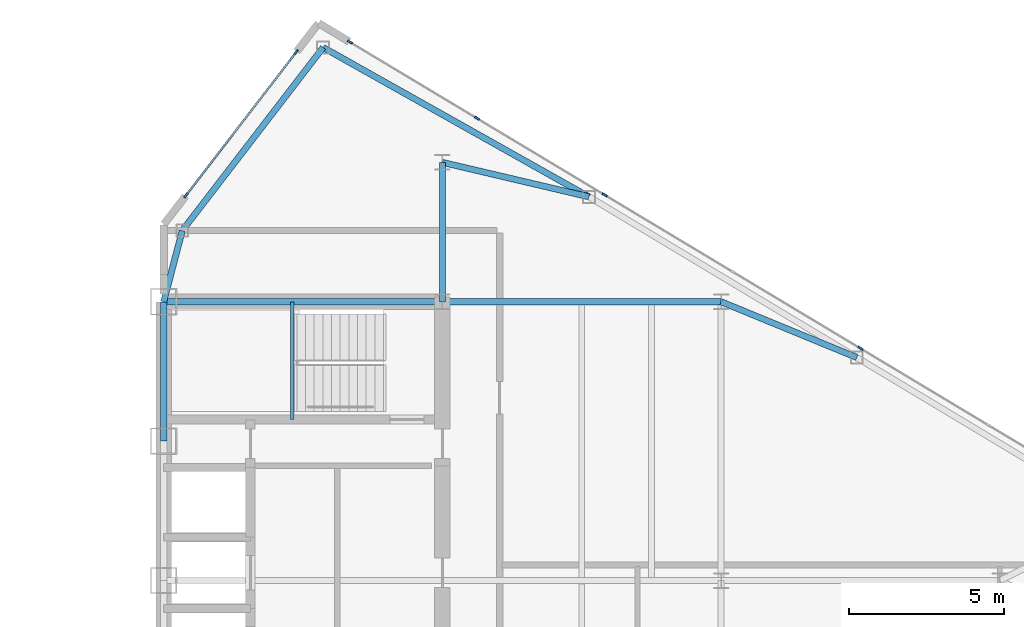
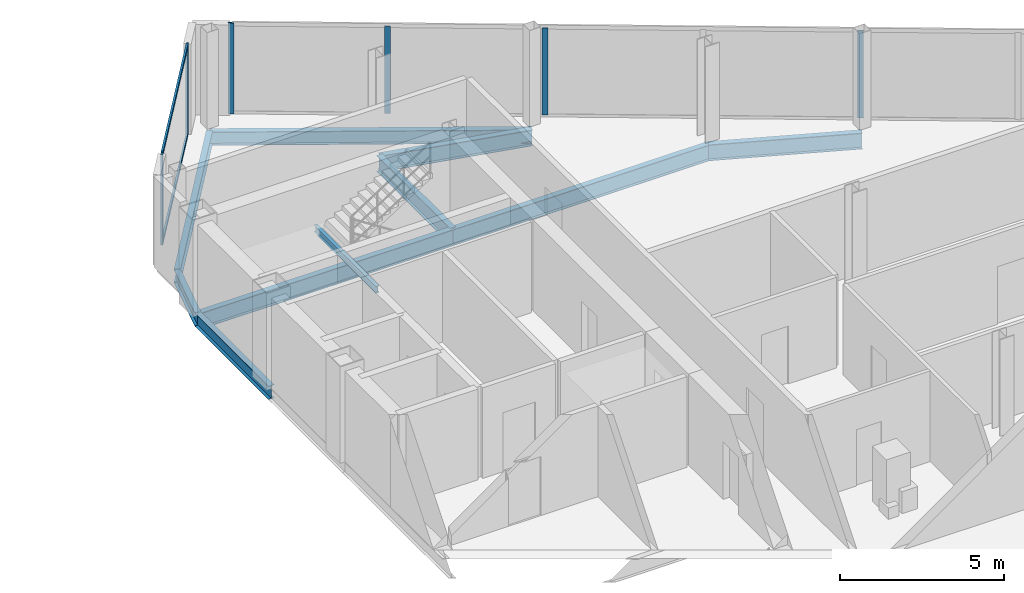
# One storey, part 15 of 25: 10 beams, 8 members, 2 elements without a shape of their own.
"""IFC4 building model written with IfcOpenShell, lengths in metres."""

from ifc_helpers import new_model, si_unit, direction, frame, origin, origin_2d, place, context, subcontext, project, spatial, rectangle, i_section, extrude, source, transform, mapped, material, layer, layer_set, material_profile, profile_set, type_object, type_shapes, element, aggregate, save


model = new_model("IFC4")

# Units and contexts
model_context = context("Model", 3, precision=1e-05, world=origin(), true_north=direction((0.0, 1.0)))
body_context = subcontext(model_context, "Body", "Model", "MODEL_VIEW")
ifc_project = project(units=[si_unit("LENGTHUNIT", "METRE"), si_unit("AREAUNIT", "SQUARE_METRE"), si_unit("VOLUMEUNIT", "CUBIC_METRE"), si_unit("PLANEANGLEUNIT", "RADIAN"), si_unit("MASSUNIT", "GRAM", prefix="KILO")], contexts=[model_context])

# Site, building, storey
site_placement = place(None, origin())
site = spatial("IfcSite", under=ifc_project, at=site_placement, CompositionType="ELEMENT")
building_placement = place(site_placement, origin())
building = spatial("IfcBuilding", under=site, at=building_placement, Name="Seokmaru Belvedere", CompositionType="ELEMENT")
storey_placement = place(building_placement, frame((0.0, 0.0, 213.89990234375)))
storey = spatial("IfcBuildingStorey", under=building, at=storey_placement, Name="L57", CompositionType="ELEMENT", Elevation=213.89990234375)

# Beams
ifc_material_1 = material(Name="Steel SM355 (355 MPa)", Category="steel")
ifc_material_profile_1 = material_profile(ifc_material_1, i_section(OverallWidth=0.199951171875, OverallDepth=0.5, WebThickness=0.010009765625, FlangeThickness=0.01611328125, at=origin_2d()), Name="H-500x200x10x16")
ifc_profile_set_1 = profile_set([ifc_material_profile_1], Name="Steel SM355 (355 MPa)")
beam_type_1 = type_object("IfcBeamType", Name="Perimeter Spandrel Beam H-500", PredefinedType="SPANDREL", material=ifc_profile_set_1)
shared_shape_1 = source(origin(), body_context, "Body", "SweptSolid", [
    extrude(i_section(OverallWidth=0.199951171875, OverallDepth=0.5, WebThickness=0.010009765625, FlangeThickness=0.01611328125, at=origin_2d()), origin(), (0.0, 0.0, 1.0), 4.5),
])
beam_1_placement = place(storey_placement, frame((27.5, 9.0, -0.469970703125), z_axis=(0.0, 1.0, 0.0), x_axis=(-1.0, 0.0, 0.0)))
element("IfcBeam", 1, at=beam_1_placement, inside=storey, type_object=beam_type_1, Name="L57 E Portal Spine Spandrel 5", PredefinedType="SPANDREL", context=body_context, shape_type="MappedRepresentation", body=[
    mapped(shared_shape_1, transform((0.0, 0.0, 0.0), scale=1.0)),
])
ifc_material_profile_2 = material_profile(ifc_material_1, i_section(OverallWidth=0.199951171875, OverallDepth=0.60009765625, WebThickness=0.010986328125, FlangeThickness=0.01708984375, at=origin_2d()), Name="H-600x200x11x17")
ifc_profile_set_2 = profile_set([ifc_material_profile_2], Name="Steel SM355 (355 MPa)")
beam_type_2 = type_object("IfcBeamType", Name="Primary Floor Girder H-600", PredefinedType="BEAM", material=ifc_profile_set_2)
shared_shape_2 = source(origin(), body_context, "Body", "SweptSolid", [
    extrude(i_section(OverallWidth=0.199951171875, OverallDepth=0.60009765625, WebThickness=0.010986328125, FlangeThickness=0.01708984375, at=origin_2d()), origin(), (0.0, 0.0, 1.0), 9.0),
])
for number, where, z_axis, x_axis, name in (
    (2, (27.5, 13.5, -0.52001953125), (1.0, 0.0, 0.0), (0.0, 1.0, 0.0), "L57 E Core Tie Girder 4"),
    (3, (36.5, 13.5, -0.52001953125), (1.0, 0.0, 0.0), (0.0, 1.0, 0.0), "L57 E Wing Primary Girder 4"),
):
    element("IfcBeam", number, at=place(storey_placement, frame(where, z_axis=z_axis, x_axis=x_axis)), inside=storey, type_object=beam_type_2, Name=name, PredefinedType="BEAM", context=body_context, shape_type="MappedRepresentation", body=[
        mapped(shared_shape_2, transform((0.0, 0.0, 0.0), scale=1.0)),
    ])
shared_shape_3 = source(origin(), body_context, "Body", "SweptSolid", [
    extrude(i_section(OverallWidth=0.199951171875, OverallDepth=0.60009765625, WebThickness=0.010986328125, FlangeThickness=0.01708984375, at=origin_2d()), origin(), (0.0, 0.0, 1.0), 4.5),
])
beam_2_placement = place(storey_placement, frame((36.5, 13.5, -0.52001953125), z_axis=(0.0, 1.0, 0.0), x_axis=(-1.0, 0.0, 0.0)))
element("IfcBeam", 4, at=beam_2_placement, inside=storey, type_object=beam_type_2, Name="L57 E Core Shoulder Girder N", PredefinedType="BEAM", context=body_context, shape_type="MappedRepresentation", body=[
    mapped(shared_shape_3, transform((0.0, 0.0, 0.0), scale=1.0)),
])
shared_shape_4 = source(origin(), body_context, "Body", "SweptSolid", [
    extrude(i_section(OverallWidth=0.199951171875, OverallDepth=0.5, WebThickness=0.010009765625, FlangeThickness=0.01611328125, at=origin_2d()), origin(), (0.0, 0.0, 1.0), 9.842041015625),
])
beam_3_placement = place(storey_placement, frame((32.649658203125, 21.71044921875, -0.469970703125), z_axis=(0.871782151818, -0.489893743349, 0.0), x_axis=(0.489893743349, 0.871782151818, 0.0)))
element("IfcBeam", 5, at=beam_3_placement, inside=storey, type_object=beam_type_1, Name="L57 E Faceted Flank Spandrel N-1", PredefinedType="SPANDREL", context=body_context, shape_type="MappedRepresentation", body=[
    mapped(shared_shape_4, transform((0.0, 0.0, 0.0), scale=1.0)),
])
shared_shape_5 = source(origin(), body_context, "Body", "SweptSolid", [
    extrude(i_section(OverallWidth=0.199951171875, OverallDepth=0.5, WebThickness=0.010009765625, FlangeThickness=0.01611328125, at=origin_2d()), origin(), (0.0, 0.0, 1.0), 7.4619140625),
])
beam_4_placement = place(storey_placement, frame((32.649658203125, 21.71044921875, -0.469970703125), z_axis=(-0.609702854945, -0.792630070507, 0.0), x_axis=(0.792630070507, -0.609702854945, 0.0)))
element("IfcBeam", 6, at=beam_4_placement, inside=storey, type_object=beam_type_1, Name="L57 E Shoulder Chamfer Spandrel N", PredefinedType="SPANDREL", context=body_context, shape_type="MappedRepresentation", body=[
    mapped(shared_shape_5, transform((0.0, 0.0, 0.0), scale=1.0)),
])
shared_shape_6 = source(origin(), body_context, "Body", "SweptSolid", [
    extrude(i_section(OverallWidth=0.199951171875, OverallDepth=0.5, WebThickness=0.010009765625, FlangeThickness=0.01611328125, at=origin_2d()), origin(), (0.0, 0.0, 1.0), 2.373046875),
])
type_shapes(beam_type_1, [shared_shape_1, shared_shape_4, shared_shape_5, shared_shape_6])
beam_5_placement = place(storey_placement, frame((28.10009765625, 15.7958984375, -0.469970703125), z_axis=(-0.252882558842, -0.967496982648, 0.0), x_axis=(0.967496982648, -0.252882558842, 0.0)))
element("IfcBeam", 7, at=beam_5_placement, inside=storey, type_object=beam_type_1, Name="L57 E Shoulder Spine Spandrel N", PredefinedType="SPANDREL", context=body_context, shape_type="MappedRepresentation", body=[
    mapped(shared_shape_6, transform((0.0, 0.0, 0.0), scale=1.0)),
])
shared_shape_7 = source(origin(), body_context, "Body", "SweptSolid", [
    extrude(i_section(OverallWidth=0.199951171875, OverallDepth=0.60009765625, WebThickness=0.010986328125, FlangeThickness=0.01708984375, at=origin_2d()), origin(), (0.0, 0.0, 1.0), 4.8583984375),
])
beam_6_placement = place(storey_placement, frame((41.229736328125, 16.888916015625, -0.52001953125), z_axis=(-0.97349948295, 0.228689214211, 0.0), x_axis=(-0.228689214211, -0.97349948295, 0.0)))
element("IfcBeam", 8, at=beam_6_placement, inside=storey, type_object=beam_type_2, Name="L57 E Flank Radial Floor Girder N-1", PredefinedType="BEAM", context=body_context, shape_type="MappedRepresentation", body=[
    mapped(shared_shape_7, transform((0.0, 0.0, 0.0), scale=1.0)),
])
shared_shape_8 = source(origin(), body_context, "Body", "SweptSolid", [
    extrude(i_section(OverallWidth=0.199951171875, OverallDepth=0.60009765625, WebThickness=0.010986328125, FlangeThickness=0.01708984375, at=origin_2d()), origin(), (0.0, 0.0, 1.0), 4.73583984375),
])
type_shapes(beam_type_2, [shared_shape_2, shared_shape_3, shared_shape_7, shared_shape_8])
beam_7_placement = place(storey_placement, frame((49.8798828125, 11.698974609375, -0.52001953125), z_axis=(-0.924860562953, 0.380306375301, 0.0), x_axis=(-0.380306375301, -0.924860562953, 0.0)))
element("IfcBeam", 9, at=beam_7_placement, inside=storey, type_object=beam_type_2, Name="L57 E Flank Radial Floor Girder N-2", PredefinedType="BEAM", context=body_context, shape_type="MappedRepresentation", body=[
    mapped(shared_shape_8, transform((0.0, 0.0, 0.0), scale=1.0)),
])

# Curtain wall, members
ifc_material_2 = material(Name="Bronze Triple Insulating Glass", Category="glass")
ifc_layer = layer(ifc_material_2, 0.179931640625)
ifc_layer_set = layer_set([ifc_layer], Name="Bronze Triple Insulating Glass")
curtain_wall_type = type_object("IfcCurtainWallType", Name="High-Rise Wind-Corner Curtain Wall System CW-5", PredefinedType="NOTDEFINED", material=ifc_layer_set)
curtain_wall_1_placement = place(storey_placement, origin())
curtain_wall_1 = element("IfcCurtainWall", 10, at=curtain_wall_1_placement, inside=storey, type_object=curtain_wall_type, Name="L57 Curtain Wall EF3", PredefinedType="NOTDEFINED")
ifc_material_3 = material(Name="Anodised Bronze Aluminium", Category="aluminium")
ifc_material_profile_3 = material_profile(ifc_material_3, rectangle(XDim=0.06494140625, YDim=0.179931640625, at=origin_2d()), Name="CW-M-65x180")
ifc_profile_set_3 = profile_set([ifc_material_profile_3], Name="Anodised Bronze Aluminium")
member_type_1 = type_object("IfcMemberType", Name="Bronze Unitised Mullion 65x180", PredefinedType="MULLION", material=ifc_profile_set_3)
shared_shape_9 = source(origin(), body_context, "Body", "SweptSolid", [
    extrude(rectangle(XDim=0.06494140625, YDim=0.179931640625, at=origin_2d()), origin(), (0.0, 0.0, 1.0), 3.25),
])
member_1_placement = place(storey_placement, frame((50.0, 12.0, 0.065185546875), z_axis=(0.0, 0.0, 1.0), x_axis=(-0.514494909364, -0.85749343335, 0.0)))
member_1 = element("IfcMember", 11, at=member_1_placement, type_object=member_type_1, Name="CW:L57:EF3 Mullion 5", PredefinedType="MULLION", context=body_context, shape_type="MappedRepresentation", body=[
    mapped(shared_shape_9, transform((0.0, 0.0, 0.0), scale=1.0)),
])
member_2_placement = place(storey_placement, frame((41.742919921875, 16.9541015625, 0.065185546875), z_axis=(0.0, 0.0, 1.0), x_axis=(-0.514494909364, -0.85749343335, 0.0)))
member_2 = element("IfcMember", 12, at=member_2_placement, type_object=member_type_1, Name="CW:L57:EF3 Mullion 7", PredefinedType="MULLION", context=body_context, shape_type="MappedRepresentation", body=[
    mapped(shared_shape_9, transform((0.0, 0.0, 0.0), scale=1.0)),
])
member_3_placement = place(storey_placement, frame((37.614501953125, 19.43115234375, 0.065185546875), z_axis=(0.0, 0.0, 1.0), x_axis=(-0.514494909364, -0.85749343335, 0.0)))
member_3 = element("IfcMember", 13, at=member_3_placement, type_object=member_type_1, Name="CW:L57:EF3 Mullion 8", PredefinedType="MULLION", context=body_context, shape_type="MappedRepresentation", body=[
    mapped(shared_shape_9, transform((0.0, 0.0, 0.0), scale=1.0)),
])
shared_shape_10 = source(origin(), body_context, "Body", "SweptSolid", [
    extrude(rectangle(XDim=0.06494140625, YDim=0.179931640625, at=origin_2d()), origin(), (0.0, 0.0, 1.0), 3.380126953125),
])
type_shapes(member_type_1, [shared_shape_9, shared_shape_10])
member_4_placement = place(storey_placement, frame((33.513916015625, 21.8916015625, 0.0), z_axis=(0.0, 0.0, 1.0), x_axis=(-0.514494909364, -0.85749343335, 0.0)))
member_4 = element("IfcMember", 14, at=member_4_placement, type_object=member_type_1, Name="CW:L57:EF3 Mullion 9", PredefinedType="MULLION", context=body_context, shape_type="MappedRepresentation", body=[
    mapped(shared_shape_10, transform((0.0, 0.0, 0.0), scale=1.0)),
])
aggregate(curtain_wall_1, [member_1, member_2, member_3, member_4])

curtain_wall_2_placement = place(storey_placement, origin())
curtain_wall_2 = element("IfcCurtainWall", 15, at=curtain_wall_2_placement, inside=storey, type_object=curtain_wall_type, Name="L57 Curtain Wall EF4", PredefinedType="NOTDEFINED")
member_5_placement = place(storey_placement, frame((31.779052734375, 21.562744140625, 0.0), z_axis=(0.0, 0.0, 1.0), x_axis=(0.792631353244, -0.609701187349, 0.0)))
member_5 = element("IfcMember", 16, at=member_5_placement, type_object=member_type_1, Name="CW:L57:EF4 Mullion 1", PredefinedType="MULLION", context=body_context, shape_type="MappedRepresentation", body=[
    mapped(shared_shape_10, transform((0.0, 0.0, 0.0), scale=1.0)),
])
member_6_placement = place(storey_placement, frame((28.220947265625, 16.937255859375, 0.0), z_axis=(0.0, 0.0, 1.0), x_axis=(0.792631353244, -0.609701187349, 0.0)))
member_6 = element("IfcMember", 17, at=member_6_placement, type_object=member_type_1, Name="CW:L57:EF4 Mullion 2", PredefinedType="MULLION", context=body_context, shape_type="MappedRepresentation", body=[
    mapped(shared_shape_10, transform((0.0, 0.0, 0.0), scale=1.0)),
])
ifc_material_profile_4 = material_profile(ifc_material_3, rectangle(XDim=0.06494140625, YDim=0.14990234375, at=origin_2d()), Name="CW-T-65x150")
ifc_profile_set_4 = profile_set([ifc_material_profile_4], Name="Anodised Bronze Aluminium")
member_type_2 = type_object("IfcMemberType", Name="Bronze Unitised Transom 65x150", PredefinedType="USERDEFINED", material=ifc_profile_set_4)
shared_shape_11 = source(origin(), body_context, "Body", "SweptSolid", [
    extrude(rectangle(XDim=0.06494140625, YDim=0.14990234375, at=origin_2d()), origin(), (0.0, 0.0, 1.0), 5.77099609375),
])
type_shapes(member_type_2, [shared_shape_11])
member_7_placement = place(storey_placement, frame((31.75927734375, 21.537109375, 0.03271484375), z_axis=(-0.60970258286, -0.792630279799, 0.0), x_axis=(0.792630279799, -0.60970258286, 0.0)))
member_7 = element("IfcMember", 18, at=member_7_placement, type_object=member_type_2, Name="CW:L57:EF4 Continuous Transom 1", ObjectType="TRANSOM", PredefinedType="USERDEFINED", context=body_context, shape_type="MappedRepresentation", body=[
    mapped(shared_shape_11, transform((0.0, 0.0, 0.0), scale=1.0)),
])
member_8_placement = place(storey_placement, frame((31.75927734375, 21.537109375, 3.34765625), z_axis=(-0.60970258286, -0.792630279799, 0.0), x_axis=(0.792630279799, -0.60970258286, 0.0)))
member_8 = element("IfcMember", 19, at=member_8_placement, type_object=member_type_2, Name="CW:L57:EF4 Continuous Transom 2", ObjectType="TRANSOM", PredefinedType="USERDEFINED", context=body_context, shape_type="MappedRepresentation", body=[
    mapped(shared_shape_11, transform((0.0, 0.0, 0.0), scale=1.0)),
])
aggregate(curtain_wall_2, [member_5, member_6, member_7, member_8])

# Beam
ifc_material_profile_5 = material_profile(ifc_material_1, i_section(OverallWidth=0.125, OverallDepth=0.25, WebThickness=0.006103515625, FlangeThickness=0.009033203125, at=origin_2d()), Name="H-250x125x6x9")
ifc_profile_set_5 = profile_set([ifc_material_profile_5], Name="Steel SM355 (355 MPa)")
beam_type_3 = type_object("IfcBeamType", Name="Stair Mid-Landing Support Beam H-250", PredefinedType="JOIST", material=ifc_profile_set_5)
shared_shape_12 = source(origin(), body_context, "Body", "SweptSolid", [
    extrude(i_section(OverallWidth=0.125, OverallDepth=0.25, WebThickness=0.006103515625, FlangeThickness=0.009033203125, at=origin_2d()), origin(), (0.0, 0.0, 1.0), 3.800048828125),
])
type_shapes(beam_type_3, [shared_shape_12])
beam_8_placement = place(storey_placement, frame((31.64990234375, 9.699951171875, 1.47509765625), z_axis=(0.0, 1.0, 0.0), x_axis=(-1.0, 0.0, 0.0)))
element("IfcBeam", 20, at=beam_8_placement, inside=storey, type_object=beam_type_3, Name="L57 Stair ST-E2 Mid-Landing Support Beam 1", PredefinedType="JOIST", context=body_context, shape_type="MappedRepresentation", body=[
    mapped(shared_shape_12, transform((0.0, 0.0, 0.0), scale=1.0)),
])

save(model, "model.ifc")
